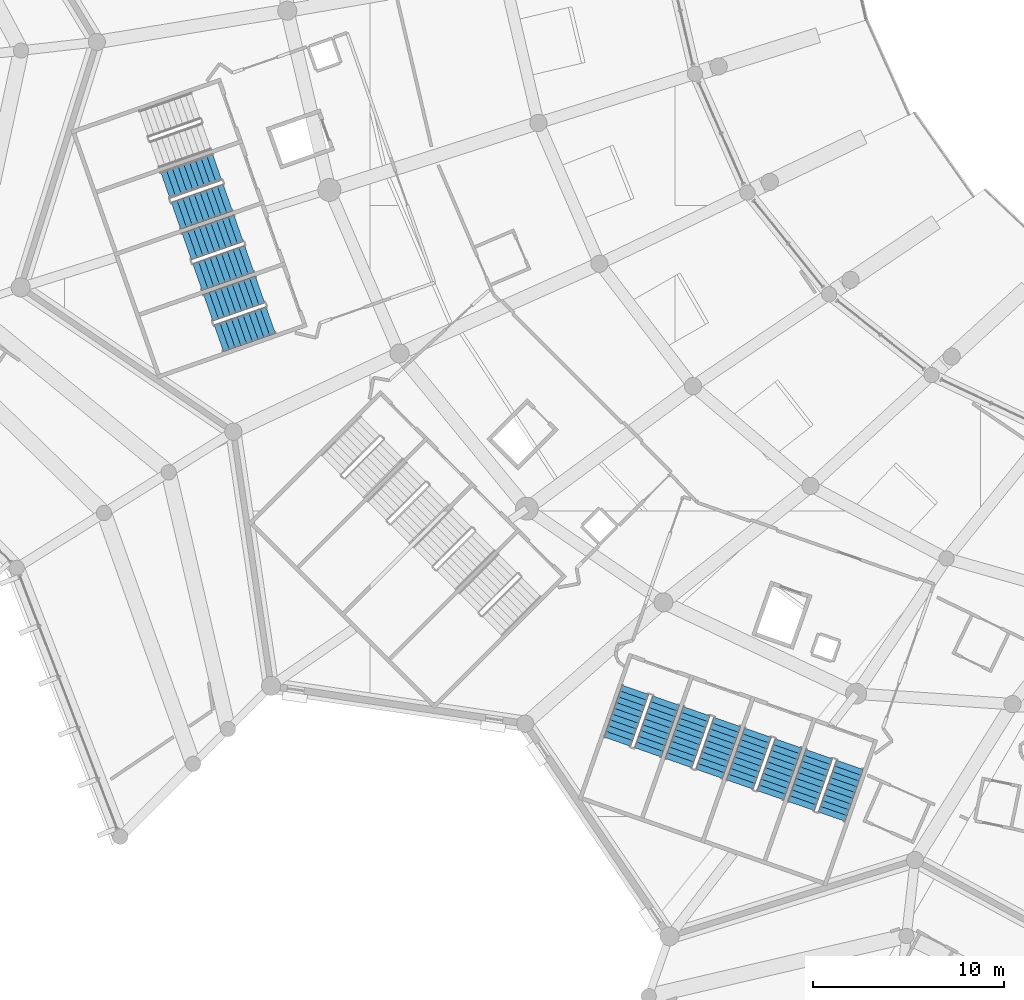
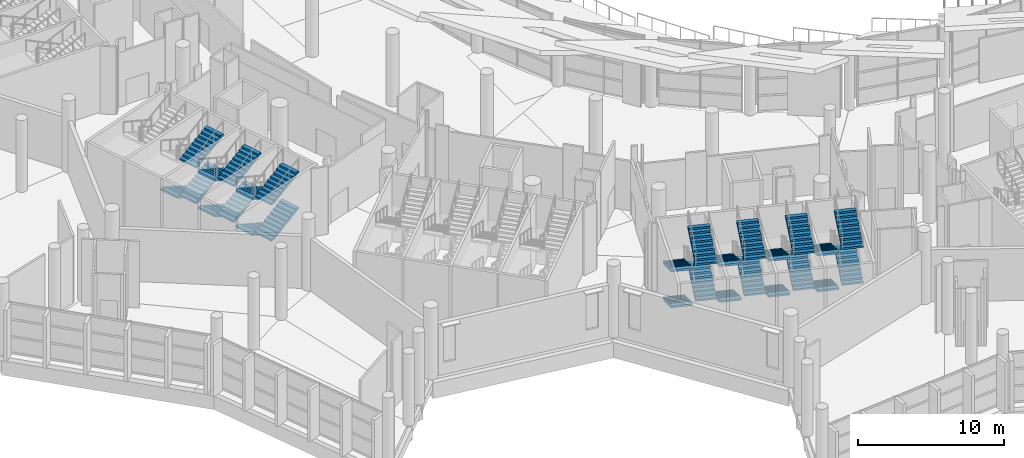
# One storey, part 182 of 249: 27 stair flights, 7 elements without a shape of their own.
"""IFC4 building model written with IfcOpenShell, lengths in metres."""

from ifc_helpers import new_model, si_unit, direction, frame, origin, place, context, subcontext, project, spatial, polyline, outline, extrude, material, type_object, element, aggregate, save


model = new_model("IFC4")

# Units and contexts
model_context = context("Model", 3, precision=1e-05, world=origin(), true_north=direction((0.0, 1.0)))
body_context = subcontext(model_context, "Body", "Model", "MODEL_VIEW")
ifc_project = project(units=[si_unit("LENGTHUNIT", "METRE"), si_unit("AREAUNIT", "SQUARE_METRE"), si_unit("VOLUMEUNIT", "CUBIC_METRE"), si_unit("PLANEANGLEUNIT", "RADIAN"), si_unit("MASSUNIT", "GRAM", prefix="KILO")], contexts=[model_context])

# Site, building, storey
site_placement = place(None, origin())
site = spatial("IfcSite", under=ifc_project, at=site_placement, CompositionType="ELEMENT")
building_placement = place(site_placement, origin())
building = spatial("IfcBuilding", under=site, at=building_placement, Name="Meseta Stadium", CompositionType="ELEMENT")
storey_placement = place(building_placement, frame((0.0, 0.0, 12.0)))
storey = spatial("IfcBuildingStorey", under=building, at=storey_placement, Name="L02", CompositionType="ELEMENT", Elevation=12.0)

# Stair, stair flights
ifc_material_1 = material(Name="Concrete C40/50", Category="concrete")
stair_type = type_object("IfcStairType", Name="Exit stair 4 flights 150 mm risers", PredefinedType="HALF_TURN_STAIR", material=ifc_material_1)
stair_1_placement = place(storey_placement, origin())
stair_1 = element("IfcStair", 1, at=stair_1_placement, inside=storey, type_object=stair_type, Name="ST78 L02", PredefinedType="HALF_TURN_STAIR")
ifc_material_2 = material(Name="Concrete C40/50", Category="concrete")
stair_flight_type = type_object("IfcStairFlightType", Name="Exit stair flight 150 mm risers, 4 per storey", PredefinedType="STRAIGHT", material=ifc_material_2)
stair_flight_1_placement = place(storey_placement, frame((-87.99560546875, -61.9931640625, 0.0), z_axis=(0.0, 0.0, 1.0), x_axis=(-0.943883331955, -0.330279057248, 0.0)))
stair_flight_1 = element("IfcStairFlight", 2, at=stair_flight_1_placement, type_object=stair_flight_type, Name="ST78 L02 flight 1", NumberOfRisers=10, NumberOfTreads=9, PredefinedType="STRAIGHT", RiserHeight=0.15, TreadLength=0.32, context=body_context, shape_type="SweptSolid", body=[
    extrude(outline(polyline([(0.0, 0.0), (0.0, 0.14990234375), (0.320068359375, 0.14990234375), (0.320068359375, 0.300048828125), (0.639892578125, 0.300048828125), (0.639892578125, 0.449951171875), (0.9599609375, 0.449951171875), (0.9599609375, 0.60009765625), (1.280029296875, 0.60009765625), (1.280029296875, 0.75), (1.60009765625, 0.75), (1.60009765625, 0.89990234375), (1.919921875, 0.89990234375), (1.919921875, 1.050048828125), (2.239990234375, 1.050048828125), (2.239990234375, 1.199951171875), (2.56005859375, 1.199951171875), (2.56005859375, 1.35009765625), (2.8798828125, 1.35009765625), (2.8798828125, 1.184326171875), (0.353271484375, 0.0), (0.0, 0.0)])), frame((0.0, 0.75, 0.0), z_axis=(0.0, -1.0, 0.0), x_axis=(1.0, 0.0, 0.0)), (0.0, 0.0, 1.0), 1.5),
])
stair_flight_2_placement = place(storey_placement, frame((-90.15234375, -64.549072265625, 1.5), z_axis=(0.0, 0.0, 1.0), x_axis=(0.943883331955, 0.330279057248, 0.0)))
stair_flight_2 = element("IfcStairFlight", 3, at=stair_flight_2_placement, type_object=stair_flight_type, Name="ST78 L02 flight 2", NumberOfRisers=10, NumberOfTreads=9, PredefinedType="STRAIGHT", RiserHeight=0.15, TreadLength=0.32, context=body_context, shape_type="SweptSolid", body=[
    extrude(outline(polyline([(0.0, 0.0), (0.0, 0.14990234375), (0.320068359375, 0.14990234375), (0.320068359375, 0.300048828125), (0.639892578125, 0.300048828125), (0.639892578125, 0.449951171875), (0.9599609375, 0.449951171875), (0.9599609375, 0.60009765625), (1.280029296875, 0.60009765625), (1.280029296875, 0.75), (1.60009765625, 0.75), (1.60009765625, 0.89990234375), (1.919921875, 0.89990234375), (1.919921875, 1.050048828125), (2.239990234375, 1.050048828125), (2.239990234375, 1.199951171875), (2.56005859375, 1.199951171875), (2.56005859375, 1.35009765625), (2.8798828125, 1.35009765625), (2.8798828125, 1.184326171875), (0.353271484375, 0.0), (0.0, 0.0)])), frame((0.0, 0.75, 0.0), z_axis=(0.0, -1.0, 0.0), x_axis=(1.0, 0.0, 0.0)), (0.0, 0.0, 1.0), 1.5),
])
stair_flight_3_placement = place(storey_placement, frame((-90.15234375, -64.549072265625, 4.5), z_axis=(0.0, 0.0, 1.0), x_axis=(0.943883331955, 0.330279057248, 0.0)))
stair_flight_3 = element("IfcStairFlight", 4, at=stair_flight_3_placement, type_object=stair_flight_type, Name="ST78 L02 flight 4", NumberOfRisers=10, NumberOfTreads=9, PredefinedType="STRAIGHT", RiserHeight=0.15, TreadLength=0.32, context=body_context, shape_type="SweptSolid", body=[
    extrude(outline(polyline([(0.0, 0.0), (0.0, 0.14990234375), (0.320068359375, 0.14990234375), (0.320068359375, 0.300048828125), (0.639892578125, 0.300048828125), (0.639892578125, 0.449951171875), (0.9599609375, 0.449951171875), (0.9599609375, 0.60009765625), (1.280029296875, 0.60009765625), (1.280029296875, 0.75), (1.60009765625, 0.75), (1.60009765625, 0.89990234375), (1.919921875, 0.89990234375), (1.919921875, 1.050048828125), (2.239990234375, 1.050048828125), (2.239990234375, 1.199951171875), (2.56005859375, 1.199951171875), (2.56005859375, 1.35009765625), (2.8798828125, 1.35009765625), (2.8798828125, 1.184326171875), (0.353271484375, 0.0), (0.0, 0.0)])), frame((0.0, 0.75, 0.0), z_axis=(0.0, -1.0, 0.0), x_axis=(1.0, 0.0, 0.0)), (0.0, 0.0, 1.0), 1.5),
])
aggregate(stair_1, [stair_flight_1, stair_flight_2, stair_flight_3])

stair_2_placement = place(storey_placement, origin())
stair_2 = element("IfcStair", 5, at=stair_2_placement, inside=storey, type_object=stair_type, Name="ST79 L02", PredefinedType="HALF_TURN_STAIR")
stair_flight_4_placement = place(storey_placement, frame((-86.87255859375, -65.202392578125, 0.0), z_axis=(0.0, 0.0, 1.0), x_axis=(-0.943883331955, -0.330279057248, 0.0)))
stair_flight_4 = element("IfcStairFlight", 6, at=stair_flight_4_placement, type_object=stair_flight_type, Name="ST79 L02 flight 1", NumberOfRisers=10, NumberOfTreads=9, PredefinedType="STRAIGHT", RiserHeight=0.15, TreadLength=0.32, context=body_context, shape_type="SweptSolid", body=[
    extrude(outline(polyline([(0.0, 0.0), (0.0, 0.14990234375), (0.320068359375, 0.14990234375), (0.320068359375, 0.300048828125), (0.639892578125, 0.300048828125), (0.639892578125, 0.449951171875), (0.9599609375, 0.449951171875), (0.9599609375, 0.60009765625), (1.280029296875, 0.60009765625), (1.280029296875, 0.75), (1.60009765625, 0.75), (1.60009765625, 0.89990234375), (1.919921875, 0.89990234375), (1.919921875, 1.050048828125), (2.239990234375, 1.050048828125), (2.239990234375, 1.199951171875), (2.56005859375, 1.199951171875), (2.56005859375, 1.35009765625), (2.8798828125, 1.35009765625), (2.8798828125, 1.184326171875), (0.353271484375, 0.0), (0.0, 0.0)])), frame((0.0, 0.75, 0.0), z_axis=(0.0, -1.0, 0.0), x_axis=(1.0, 0.0, 0.0)), (0.0, 0.0, 1.0), 1.5),
])
stair_flight_5_placement = place(storey_placement, frame((-89.029541015625, -67.75830078125, 1.5), z_axis=(0.0, 0.0, 1.0), x_axis=(0.943883331955, 0.330279057248, 0.0)))
stair_flight_5 = element("IfcStairFlight", 7, at=stair_flight_5_placement, type_object=stair_flight_type, Name="ST79 L02 flight 2", NumberOfRisers=10, NumberOfTreads=9, PredefinedType="STRAIGHT", RiserHeight=0.15, TreadLength=0.32, context=body_context, shape_type="SweptSolid", body=[
    extrude(outline(polyline([(0.0, 0.0), (0.0, 0.14990234375), (0.320068359375, 0.14990234375), (0.320068359375, 0.300048828125), (0.639892578125, 0.300048828125), (0.639892578125, 0.449951171875), (0.9599609375, 0.449951171875), (0.9599609375, 0.60009765625), (1.280029296875, 0.60009765625), (1.280029296875, 0.75), (1.60009765625, 0.75), (1.60009765625, 0.89990234375), (1.919921875, 0.89990234375), (1.919921875, 1.050048828125), (2.239990234375, 1.050048828125), (2.239990234375, 1.199951171875), (2.56005859375, 1.199951171875), (2.56005859375, 1.35009765625), (2.8798828125, 1.35009765625), (2.8798828125, 1.184326171875), (0.353271484375, 0.0), (0.0, 0.0)])), frame((0.0, 0.75, 0.0), z_axis=(0.0, -1.0, 0.0), x_axis=(1.0, 0.0, 0.0)), (0.0, 0.0, 1.0), 1.5),
])
stair_flight_6_placement = place(storey_placement, frame((-86.87255859375, -65.202392578125, 3.0), z_axis=(0.0, 0.0, 1.0), x_axis=(-0.943883331955, -0.330279057248, 0.0)))
stair_flight_6 = element("IfcStairFlight", 8, at=stair_flight_6_placement, type_object=stair_flight_type, Name="ST79 L02 flight 3", NumberOfRisers=10, NumberOfTreads=9, PredefinedType="STRAIGHT", RiserHeight=0.15, TreadLength=0.32, context=body_context, shape_type="SweptSolid", body=[
    extrude(outline(polyline([(0.0, 0.0), (0.0, 0.14990234375), (0.320068359375, 0.14990234375), (0.320068359375, 0.300048828125), (0.639892578125, 0.300048828125), (0.639892578125, 0.449951171875), (0.9599609375, 0.449951171875), (0.9599609375, 0.60009765625), (1.280029296875, 0.60009765625), (1.280029296875, 0.75), (1.60009765625, 0.75), (1.60009765625, 0.89990234375), (1.919921875, 0.89990234375), (1.919921875, 1.050048828125), (2.239990234375, 1.050048828125), (2.239990234375, 1.199951171875), (2.56005859375, 1.199951171875), (2.56005859375, 1.35009765625), (2.8798828125, 1.35009765625), (2.8798828125, 1.184326171875), (0.353271484375, 0.0), (0.0, 0.0)])), frame((0.0, 0.75, 0.0), z_axis=(0.0, -1.0, 0.0), x_axis=(1.0, 0.0, 0.0)), (0.0, 0.0, 1.0), 1.5),
])
stair_flight_7_placement = place(storey_placement, frame((-89.029541015625, -67.75830078125, 4.5), z_axis=(0.0, 0.0, 1.0), x_axis=(0.943883331955, 0.330279057248, 0.0)))
stair_flight_7 = element("IfcStairFlight", 9, at=stair_flight_7_placement, type_object=stair_flight_type, Name="ST79 L02 flight 4", NumberOfRisers=10, NumberOfTreads=9, PredefinedType="STRAIGHT", RiserHeight=0.15, TreadLength=0.32, context=body_context, shape_type="SweptSolid", body=[
    extrude(outline(polyline([(0.0, 0.0), (0.0, 0.14990234375), (0.320068359375, 0.14990234375), (0.320068359375, 0.300048828125), (0.639892578125, 0.300048828125), (0.639892578125, 0.449951171875), (0.9599609375, 0.449951171875), (0.9599609375, 0.60009765625), (1.280029296875, 0.60009765625), (1.280029296875, 0.75), (1.60009765625, 0.75), (1.60009765625, 0.89990234375), (1.919921875, 0.89990234375), (1.919921875, 1.050048828125), (2.239990234375, 1.050048828125), (2.239990234375, 1.199951171875), (2.56005859375, 1.199951171875), (2.56005859375, 1.35009765625), (2.8798828125, 1.35009765625), (2.8798828125, 1.184326171875), (0.353271484375, 0.0), (0.0, 0.0)])), frame((0.0, 0.75, 0.0), z_axis=(0.0, -1.0, 0.0), x_axis=(1.0, 0.0, 0.0)), (0.0, 0.0, 1.0), 1.5),
])
aggregate(stair_2, [stair_flight_4, stair_flight_5, stair_flight_6, stair_flight_7])

stair_3_placement = place(storey_placement, origin())
stair_3 = element("IfcStair", 10, at=stair_3_placement, inside=storey, type_object=stair_type, Name="ST80 L02", PredefinedType="HALF_TURN_STAIR")
stair_flight_8_placement = place(storey_placement, frame((-85.74951171875, -68.41162109375, 0.0), z_axis=(0.0, 0.0, 1.0), x_axis=(-0.943883331955, -0.330279057248, 0.0)))
stair_flight_8 = element("IfcStairFlight", 11, at=stair_flight_8_placement, type_object=stair_flight_type, Name="ST80 L02 flight 1", NumberOfRisers=10, NumberOfTreads=9, PredefinedType="STRAIGHT", RiserHeight=0.15, TreadLength=0.32, context=body_context, shape_type="SweptSolid", body=[
    extrude(outline(polyline([(0.0, 0.0), (0.0, 0.14990234375), (0.320068359375, 0.14990234375), (0.320068359375, 0.300048828125), (0.639892578125, 0.300048828125), (0.639892578125, 0.449951171875), (0.9599609375, 0.449951171875), (0.9599609375, 0.60009765625), (1.280029296875, 0.60009765625), (1.280029296875, 0.75), (1.60009765625, 0.75), (1.60009765625, 0.89990234375), (1.919921875, 0.89990234375), (1.919921875, 1.050048828125), (2.239990234375, 1.050048828125), (2.239990234375, 1.199951171875), (2.56005859375, 1.199951171875), (2.56005859375, 1.35009765625), (2.8798828125, 1.35009765625), (2.8798828125, 1.184326171875), (0.353271484375, 0.0), (0.0, 0.0)])), frame((0.0, 0.75, 0.0), z_axis=(0.0, -1.0, 0.0), x_axis=(1.0, 0.0, 0.0)), (0.0, 0.0, 1.0), 1.5),
])
stair_flight_9_placement = place(storey_placement, frame((-87.906494140625, -70.967529296875, 1.5), z_axis=(0.0, 0.0, 1.0), x_axis=(0.943883331955, 0.330279057248, 0.0)))
stair_flight_9 = element("IfcStairFlight", 12, at=stair_flight_9_placement, type_object=stair_flight_type, Name="ST80 L02 flight 2", NumberOfRisers=10, NumberOfTreads=9, PredefinedType="STRAIGHT", RiserHeight=0.15, TreadLength=0.32, context=body_context, shape_type="SweptSolid", body=[
    extrude(outline(polyline([(0.0, 0.0), (0.0, 0.14990234375), (0.320068359375, 0.14990234375), (0.320068359375, 0.300048828125), (0.639892578125, 0.300048828125), (0.639892578125, 0.449951171875), (0.9599609375, 0.449951171875), (0.9599609375, 0.60009765625), (1.280029296875, 0.60009765625), (1.280029296875, 0.75), (1.60009765625, 0.75), (1.60009765625, 0.89990234375), (1.919921875, 0.89990234375), (1.919921875, 1.050048828125), (2.239990234375, 1.050048828125), (2.239990234375, 1.199951171875), (2.56005859375, 1.199951171875), (2.56005859375, 1.35009765625), (2.8798828125, 1.35009765625), (2.8798828125, 1.184326171875), (0.353271484375, 0.0), (0.0, 0.0)])), frame((0.0, 0.75, 0.0), z_axis=(0.0, -1.0, 0.0), x_axis=(1.0, 0.0, 0.0)), (0.0, 0.0, 1.0), 1.5),
])
stair_flight_10_placement = place(storey_placement, frame((-85.74951171875, -68.41162109375, 3.0), z_axis=(0.0, 0.0, 1.0), x_axis=(-0.943883331955, -0.330279057248, 0.0)))
stair_flight_10 = element("IfcStairFlight", 13, at=stair_flight_10_placement, type_object=stair_flight_type, Name="ST80 L02 flight 3", NumberOfRisers=10, NumberOfTreads=9, PredefinedType="STRAIGHT", RiserHeight=0.15, TreadLength=0.32, context=body_context, shape_type="SweptSolid", body=[
    extrude(outline(polyline([(0.0, 0.0), (0.0, 0.14990234375), (0.320068359375, 0.14990234375), (0.320068359375, 0.300048828125), (0.639892578125, 0.300048828125), (0.639892578125, 0.449951171875), (0.9599609375, 0.449951171875), (0.9599609375, 0.60009765625), (1.280029296875, 0.60009765625), (1.280029296875, 0.75), (1.60009765625, 0.75), (1.60009765625, 0.89990234375), (1.919921875, 0.89990234375), (1.919921875, 1.050048828125), (2.239990234375, 1.050048828125), (2.239990234375, 1.199951171875), (2.56005859375, 1.199951171875), (2.56005859375, 1.35009765625), (2.8798828125, 1.35009765625), (2.8798828125, 1.184326171875), (0.353271484375, 0.0), (0.0, 0.0)])), frame((0.0, 0.75, 0.0), z_axis=(0.0, -1.0, 0.0), x_axis=(1.0, 0.0, 0.0)), (0.0, 0.0, 1.0), 1.5),
])
stair_flight_11_placement = place(storey_placement, frame((-87.906494140625, -70.967529296875, 4.5), z_axis=(0.0, 0.0, 1.0), x_axis=(0.943883331955, 0.330279057248, 0.0)))
stair_flight_11 = element("IfcStairFlight", 14, at=stair_flight_11_placement, type_object=stair_flight_type, Name="ST80 L02 flight 4", NumberOfRisers=10, NumberOfTreads=9, PredefinedType="STRAIGHT", RiserHeight=0.15, TreadLength=0.32, context=body_context, shape_type="SweptSolid", body=[
    extrude(outline(polyline([(0.0, 0.0), (0.0, 0.14990234375), (0.320068359375, 0.14990234375), (0.320068359375, 0.300048828125), (0.639892578125, 0.300048828125), (0.639892578125, 0.449951171875), (0.9599609375, 0.449951171875), (0.9599609375, 0.60009765625), (1.280029296875, 0.60009765625), (1.280029296875, 0.75), (1.60009765625, 0.75), (1.60009765625, 0.89990234375), (1.919921875, 0.89990234375), (1.919921875, 1.050048828125), (2.239990234375, 1.050048828125), (2.239990234375, 1.199951171875), (2.56005859375, 1.199951171875), (2.56005859375, 1.35009765625), (2.8798828125, 1.35009765625), (2.8798828125, 1.184326171875), (0.353271484375, 0.0), (0.0, 0.0)])), frame((0.0, 0.75, 0.0), z_axis=(0.0, -1.0, 0.0), x_axis=(1.0, 0.0, 0.0)), (0.0, 0.0, 1.0), 1.5),
])
aggregate(stair_3, [stair_flight_8, stair_flight_9, stair_flight_10, stair_flight_11])

stair_4_placement = place(storey_placement, origin())
stair_4 = element("IfcStair", 15, at=stair_4_placement, inside=storey, type_object=stair_type, Name="ST85 L02", PredefinedType="HALF_TURN_STAIR")
stair_flight_12_placement = place(storey_placement, frame((-66.082275390625, -89.376953125, 0.0), z_axis=(0.0, 0.0, 1.0), x_axis=(-0.330279057248, -0.943883331955, 0.0)))
stair_flight_12 = element("IfcStairFlight", 16, at=stair_flight_12_placement, type_object=stair_flight_type, Name="ST85 L02 flight 1", NumberOfRisers=10, NumberOfTreads=9, PredefinedType="STRAIGHT", RiserHeight=0.15, TreadLength=0.32, context=body_context, shape_type="SweptSolid", body=[
    extrude(outline(polyline([(0.0, 0.0), (0.0, 0.14990234375), (0.320068359375, 0.14990234375), (0.320068359375, 0.300048828125), (0.639892578125, 0.300048828125), (0.639892578125, 0.449951171875), (0.9599609375, 0.449951171875), (0.9599609375, 0.60009765625), (1.280029296875, 0.60009765625), (1.280029296875, 0.75), (1.60009765625, 0.75), (1.60009765625, 0.89990234375), (1.919921875, 0.89990234375), (1.919921875, 1.050048828125), (2.239990234375, 1.050048828125), (2.239990234375, 1.199951171875), (2.56005859375, 1.199951171875), (2.56005859375, 1.35009765625), (2.8798828125, 1.35009765625), (2.8798828125, 1.184326171875), (0.353271484375, 0.0), (0.0, 0.0)])), frame((0.0, 0.75, 0.0), z_axis=(0.0, -1.0, 0.0), x_axis=(1.0, 0.0, 0.0)), (0.0, 0.0, 1.0), 1.5),
])
stair_flight_13_placement = place(storey_placement, frame((-65.428955078125, -92.65673828125, 1.5), z_axis=(0.0, 0.0, 1.0), x_axis=(0.330279057248, 0.943883331955, 0.0)))
stair_flight_13 = element("IfcStairFlight", 17, at=stair_flight_13_placement, type_object=stair_flight_type, Name="ST85 L02 flight 2", NumberOfRisers=10, NumberOfTreads=9, PredefinedType="STRAIGHT", RiserHeight=0.15, TreadLength=0.32, context=body_context, shape_type="SweptSolid", body=[
    extrude(outline(polyline([(0.0, 0.0), (0.0, 0.14990234375), (0.320068359375, 0.14990234375), (0.320068359375, 0.300048828125), (0.639892578125, 0.300048828125), (0.639892578125, 0.449951171875), (0.9599609375, 0.449951171875), (0.9599609375, 0.60009765625), (1.280029296875, 0.60009765625), (1.280029296875, 0.75), (1.60009765625, 0.75), (1.60009765625, 0.89990234375), (1.919921875, 0.89990234375), (1.919921875, 1.050048828125), (2.239990234375, 1.050048828125), (2.239990234375, 1.199951171875), (2.56005859375, 1.199951171875), (2.56005859375, 1.35009765625), (2.8798828125, 1.35009765625), (2.8798828125, 1.184326171875), (0.353271484375, 0.0), (0.0, 0.0)])), frame((0.0, 0.75, 0.0), z_axis=(0.0, -1.0, 0.0), x_axis=(1.0, 0.0, 0.0)), (0.0, 0.0, 1.0), 1.5),
])
stair_flight_14_placement = place(storey_placement, frame((-66.082275390625, -89.376953125, 3.0), z_axis=(0.0, 0.0, 1.0), x_axis=(-0.330279057248, -0.943883331955, 0.0)))
stair_flight_14 = element("IfcStairFlight", 18, at=stair_flight_14_placement, type_object=stair_flight_type, Name="ST85 L02 flight 3", NumberOfRisers=10, NumberOfTreads=9, PredefinedType="STRAIGHT", RiserHeight=0.15, TreadLength=0.32, context=body_context, shape_type="SweptSolid", body=[
    extrude(outline(polyline([(0.0, 0.0), (0.0, 0.14990234375), (0.320068359375, 0.14990234375), (0.320068359375, 0.300048828125), (0.639892578125, 0.300048828125), (0.639892578125, 0.449951171875), (0.9599609375, 0.449951171875), (0.9599609375, 0.60009765625), (1.280029296875, 0.60009765625), (1.280029296875, 0.75), (1.60009765625, 0.75), (1.60009765625, 0.89990234375), (1.919921875, 0.89990234375), (1.919921875, 1.050048828125), (2.239990234375, 1.050048828125), (2.239990234375, 1.199951171875), (2.56005859375, 1.199951171875), (2.56005859375, 1.35009765625), (2.8798828125, 1.35009765625), (2.8798828125, 1.184326171875), (0.353271484375, 0.0), (0.0, 0.0)])), frame((0.0, 0.75, 0.0), z_axis=(0.0, -1.0, 0.0), x_axis=(1.0, 0.0, 0.0)), (0.0, 0.0, 1.0), 1.5),
])
stair_flight_15_placement = place(storey_placement, frame((-65.428955078125, -92.65673828125, 4.5), z_axis=(0.0, 0.0, 1.0), x_axis=(0.330279057248, 0.943883331955, 0.0)))
stair_flight_15 = element("IfcStairFlight", 19, at=stair_flight_15_placement, type_object=stair_flight_type, Name="ST85 L02 flight 4", NumberOfRisers=10, NumberOfTreads=9, PredefinedType="STRAIGHT", RiserHeight=0.15, TreadLength=0.32, context=body_context, shape_type="SweptSolid", body=[
    extrude(outline(polyline([(0.0, 0.0), (0.0, 0.14990234375), (0.320068359375, 0.14990234375), (0.320068359375, 0.300048828125), (0.639892578125, 0.300048828125), (0.639892578125, 0.449951171875), (0.9599609375, 0.449951171875), (0.9599609375, 0.60009765625), (1.280029296875, 0.60009765625), (1.280029296875, 0.75), (1.60009765625, 0.75), (1.60009765625, 0.89990234375), (1.919921875, 0.89990234375), (1.919921875, 1.050048828125), (2.239990234375, 1.050048828125), (2.239990234375, 1.199951171875), (2.56005859375, 1.199951171875), (2.56005859375, 1.35009765625), (2.8798828125, 1.35009765625), (2.8798828125, 1.184326171875), (0.353271484375, 0.0), (0.0, 0.0)])), frame((0.0, 0.75, 0.0), z_axis=(0.0, -1.0, 0.0), x_axis=(1.0, 0.0, 0.0)), (0.0, 0.0, 1.0), 1.5),
])
aggregate(stair_4, [stair_flight_12, stair_flight_13, stair_flight_14, stair_flight_15])

stair_5_placement = place(storey_placement, origin())
stair_5 = element("IfcStair", 20, at=stair_5_placement, inside=storey, type_object=stair_type, Name="ST86 L02", PredefinedType="HALF_TURN_STAIR")
stair_flight_16_placement = place(storey_placement, frame((-62.873046875, -90.5, 0.0), z_axis=(0.0, 0.0, 1.0), x_axis=(-0.330279057248, -0.943883331955, 0.0)))
stair_flight_16 = element("IfcStairFlight", 21, at=stair_flight_16_placement, type_object=stair_flight_type, Name="ST86 L02 flight 1", NumberOfRisers=10, NumberOfTreads=9, PredefinedType="STRAIGHT", RiserHeight=0.15, TreadLength=0.32, context=body_context, shape_type="SweptSolid", body=[
    extrude(outline(polyline([(0.0, 0.0), (0.0, 0.14990234375), (0.320068359375, 0.14990234375), (0.320068359375, 0.300048828125), (0.639892578125, 0.300048828125), (0.639892578125, 0.449951171875), (0.9599609375, 0.449951171875), (0.9599609375, 0.60009765625), (1.280029296875, 0.60009765625), (1.280029296875, 0.75), (1.60009765625, 0.75), (1.60009765625, 0.89990234375), (1.919921875, 0.89990234375), (1.919921875, 1.050048828125), (2.239990234375, 1.050048828125), (2.239990234375, 1.199951171875), (2.56005859375, 1.199951171875), (2.56005859375, 1.35009765625), (2.8798828125, 1.35009765625), (2.8798828125, 1.184326171875), (0.353271484375, 0.0), (0.0, 0.0)])), frame((0.0, 0.75, 0.0), z_axis=(0.0, -1.0, 0.0), x_axis=(1.0, 0.0, 0.0)), (0.0, 0.0, 1.0), 1.5),
])
stair_flight_17_placement = place(storey_placement, frame((-62.2197265625, -93.77978515625, 1.5), z_axis=(0.0, 0.0, 1.0), x_axis=(0.330279057248, 0.943883331955, 0.0)))
stair_flight_17 = element("IfcStairFlight", 22, at=stair_flight_17_placement, type_object=stair_flight_type, Name="ST86 L02 flight 2", NumberOfRisers=10, NumberOfTreads=9, PredefinedType="STRAIGHT", RiserHeight=0.15, TreadLength=0.32, context=body_context, shape_type="SweptSolid", body=[
    extrude(outline(polyline([(0.0, 0.0), (0.0, 0.14990234375), (0.320068359375, 0.14990234375), (0.320068359375, 0.300048828125), (0.639892578125, 0.300048828125), (0.639892578125, 0.449951171875), (0.9599609375, 0.449951171875), (0.9599609375, 0.60009765625), (1.280029296875, 0.60009765625), (1.280029296875, 0.75), (1.60009765625, 0.75), (1.60009765625, 0.89990234375), (1.919921875, 0.89990234375), (1.919921875, 1.050048828125), (2.239990234375, 1.050048828125), (2.239990234375, 1.199951171875), (2.56005859375, 1.199951171875), (2.56005859375, 1.35009765625), (2.8798828125, 1.35009765625), (2.8798828125, 1.184326171875), (0.353271484375, 0.0), (0.0, 0.0)])), frame((0.0, 0.75, 0.0), z_axis=(0.0, -1.0, 0.0), x_axis=(1.0, 0.0, 0.0)), (0.0, 0.0, 1.0), 1.5),
])
stair_flight_18_placement = place(storey_placement, frame((-62.873046875, -90.5, 3.0), z_axis=(0.0, 0.0, 1.0), x_axis=(-0.330279057248, -0.943883331955, 0.0)))
stair_flight_18 = element("IfcStairFlight", 23, at=stair_flight_18_placement, type_object=stair_flight_type, Name="ST86 L02 flight 3", NumberOfRisers=10, NumberOfTreads=9, PredefinedType="STRAIGHT", RiserHeight=0.15, TreadLength=0.32, context=body_context, shape_type="SweptSolid", body=[
    extrude(outline(polyline([(0.0, 0.0), (0.0, 0.14990234375), (0.320068359375, 0.14990234375), (0.320068359375, 0.300048828125), (0.639892578125, 0.300048828125), (0.639892578125, 0.449951171875), (0.9599609375, 0.449951171875), (0.9599609375, 0.60009765625), (1.280029296875, 0.60009765625), (1.280029296875, 0.75), (1.60009765625, 0.75), (1.60009765625, 0.89990234375), (1.919921875, 0.89990234375), (1.919921875, 1.050048828125), (2.239990234375, 1.050048828125), (2.239990234375, 1.199951171875), (2.56005859375, 1.199951171875), (2.56005859375, 1.35009765625), (2.8798828125, 1.35009765625), (2.8798828125, 1.184326171875), (0.353271484375, 0.0), (0.0, 0.0)])), frame((0.0, 0.75, 0.0), z_axis=(0.0, -1.0, 0.0), x_axis=(1.0, 0.0, 0.0)), (0.0, 0.0, 1.0), 1.5),
])
stair_flight_19_placement = place(storey_placement, frame((-62.2197265625, -93.77978515625, 4.5), z_axis=(0.0, 0.0, 1.0), x_axis=(0.330279057248, 0.943883331955, 0.0)))
stair_flight_19 = element("IfcStairFlight", 24, at=stair_flight_19_placement, type_object=stair_flight_type, Name="ST86 L02 flight 4", NumberOfRisers=10, NumberOfTreads=9, PredefinedType="STRAIGHT", RiserHeight=0.15, TreadLength=0.32, context=body_context, shape_type="SweptSolid", body=[
    extrude(outline(polyline([(0.0, 0.0), (0.0, 0.14990234375), (0.320068359375, 0.14990234375), (0.320068359375, 0.300048828125), (0.639892578125, 0.300048828125), (0.639892578125, 0.449951171875), (0.9599609375, 0.449951171875), (0.9599609375, 0.60009765625), (1.280029296875, 0.60009765625), (1.280029296875, 0.75), (1.60009765625, 0.75), (1.60009765625, 0.89990234375), (1.919921875, 0.89990234375), (1.919921875, 1.050048828125), (2.239990234375, 1.050048828125), (2.239990234375, 1.199951171875), (2.56005859375, 1.199951171875), (2.56005859375, 1.35009765625), (2.8798828125, 1.35009765625), (2.8798828125, 1.184326171875), (0.353271484375, 0.0), (0.0, 0.0)])), frame((0.0, 0.75, 0.0), z_axis=(0.0, -1.0, 0.0), x_axis=(1.0, 0.0, 0.0)), (0.0, 0.0, 1.0), 1.5),
])
aggregate(stair_5, [stair_flight_16, stair_flight_17, stair_flight_18, stair_flight_19])

stair_6_placement = place(storey_placement, origin())
stair_6 = element("IfcStair", 25, at=stair_6_placement, inside=storey, type_object=stair_type, Name="ST87 L02", PredefinedType="HALF_TURN_STAIR")
stair_flight_20_placement = place(storey_placement, frame((-59.663818359375, -91.622802734375, 0.0), z_axis=(0.0, 0.0, 1.0), x_axis=(-0.330279057248, -0.943883331955, 0.0)))
stair_flight_20 = element("IfcStairFlight", 26, at=stair_flight_20_placement, type_object=stair_flight_type, Name="ST87 L02 flight 1", NumberOfRisers=10, NumberOfTreads=9, PredefinedType="STRAIGHT", RiserHeight=0.15, TreadLength=0.32, context=body_context, shape_type="SweptSolid", body=[
    extrude(outline(polyline([(0.0, 0.0), (0.0, 0.14990234375), (0.320068359375, 0.14990234375), (0.320068359375, 0.300048828125), (0.639892578125, 0.300048828125), (0.639892578125, 0.449951171875), (0.9599609375, 0.449951171875), (0.9599609375, 0.60009765625), (1.280029296875, 0.60009765625), (1.280029296875, 0.75), (1.60009765625, 0.75), (1.60009765625, 0.89990234375), (1.919921875, 0.89990234375), (1.919921875, 1.050048828125), (2.239990234375, 1.050048828125), (2.239990234375, 1.199951171875), (2.56005859375, 1.199951171875), (2.56005859375, 1.35009765625), (2.8798828125, 1.35009765625), (2.8798828125, 1.184326171875), (0.353271484375, 0.0), (0.0, 0.0)])), frame((0.0, 0.75, 0.0), z_axis=(0.0, -1.0, 0.0), x_axis=(1.0, 0.0, 0.0)), (0.0, 0.0, 1.0), 1.5),
])
stair_flight_21_placement = place(storey_placement, frame((-59.010498046875, -94.902587890625, 1.5), z_axis=(0.0, 0.0, 1.0), x_axis=(0.330279057248, 0.943883331955, 0.0)))
stair_flight_21 = element("IfcStairFlight", 27, at=stair_flight_21_placement, type_object=stair_flight_type, Name="ST87 L02 flight 2", NumberOfRisers=10, NumberOfTreads=9, PredefinedType="STRAIGHT", RiserHeight=0.15, TreadLength=0.32, context=body_context, shape_type="SweptSolid", body=[
    extrude(outline(polyline([(0.0, 0.0), (0.0, 0.14990234375), (0.320068359375, 0.14990234375), (0.320068359375, 0.300048828125), (0.639892578125, 0.300048828125), (0.639892578125, 0.449951171875), (0.9599609375, 0.449951171875), (0.9599609375, 0.60009765625), (1.280029296875, 0.60009765625), (1.280029296875, 0.75), (1.60009765625, 0.75), (1.60009765625, 0.89990234375), (1.919921875, 0.89990234375), (1.919921875, 1.050048828125), (2.239990234375, 1.050048828125), (2.239990234375, 1.199951171875), (2.56005859375, 1.199951171875), (2.56005859375, 1.35009765625), (2.8798828125, 1.35009765625), (2.8798828125, 1.184326171875), (0.353271484375, 0.0), (0.0, 0.0)])), frame((0.0, 0.75, 0.0), z_axis=(0.0, -1.0, 0.0), x_axis=(1.0, 0.0, 0.0)), (0.0, 0.0, 1.0), 1.5),
])
stair_flight_22_placement = place(storey_placement, frame((-59.663818359375, -91.622802734375, 3.0), z_axis=(0.0, 0.0, 1.0), x_axis=(-0.330279057248, -0.943883331955, 0.0)))
stair_flight_22 = element("IfcStairFlight", 28, at=stair_flight_22_placement, type_object=stair_flight_type, Name="ST87 L02 flight 3", NumberOfRisers=10, NumberOfTreads=9, PredefinedType="STRAIGHT", RiserHeight=0.15, TreadLength=0.32, context=body_context, shape_type="SweptSolid", body=[
    extrude(outline(polyline([(0.0, 0.0), (0.0, 0.14990234375), (0.320068359375, 0.14990234375), (0.320068359375, 0.300048828125), (0.639892578125, 0.300048828125), (0.639892578125, 0.449951171875), (0.9599609375, 0.449951171875), (0.9599609375, 0.60009765625), (1.280029296875, 0.60009765625), (1.280029296875, 0.75), (1.60009765625, 0.75), (1.60009765625, 0.89990234375), (1.919921875, 0.89990234375), (1.919921875, 1.050048828125), (2.239990234375, 1.050048828125), (2.239990234375, 1.199951171875), (2.56005859375, 1.199951171875), (2.56005859375, 1.35009765625), (2.8798828125, 1.35009765625), (2.8798828125, 1.184326171875), (0.353271484375, 0.0), (0.0, 0.0)])), frame((0.0, 0.75, 0.0), z_axis=(0.0, -1.0, 0.0), x_axis=(1.0, 0.0, 0.0)), (0.0, 0.0, 1.0), 1.5),
])
stair_flight_23_placement = place(storey_placement, frame((-59.010498046875, -94.902587890625, 4.5), z_axis=(0.0, 0.0, 1.0), x_axis=(0.330279057248, 0.943883331955, 0.0)))
stair_flight_23 = element("IfcStairFlight", 29, at=stair_flight_23_placement, type_object=stair_flight_type, Name="ST87 L02 flight 4", NumberOfRisers=10, NumberOfTreads=9, PredefinedType="STRAIGHT", RiserHeight=0.15, TreadLength=0.32, context=body_context, shape_type="SweptSolid", body=[
    extrude(outline(polyline([(0.0, 0.0), (0.0, 0.14990234375), (0.320068359375, 0.14990234375), (0.320068359375, 0.300048828125), (0.639892578125, 0.300048828125), (0.639892578125, 0.449951171875), (0.9599609375, 0.449951171875), (0.9599609375, 0.60009765625), (1.280029296875, 0.60009765625), (1.280029296875, 0.75), (1.60009765625, 0.75), (1.60009765625, 0.89990234375), (1.919921875, 0.89990234375), (1.919921875, 1.050048828125), (2.239990234375, 1.050048828125), (2.239990234375, 1.199951171875), (2.56005859375, 1.199951171875), (2.56005859375, 1.35009765625), (2.8798828125, 1.35009765625), (2.8798828125, 1.184326171875), (0.353271484375, 0.0), (0.0, 0.0)])), frame((0.0, 0.75, 0.0), z_axis=(0.0, -1.0, 0.0), x_axis=(1.0, 0.0, 0.0)), (0.0, 0.0, 1.0), 1.5),
])
aggregate(stair_6, [stair_flight_20, stair_flight_21, stair_flight_22, stair_flight_23])

stair_7_placement = place(storey_placement, origin())
stair_7 = element("IfcStair", 30, at=stair_7_placement, inside=storey, type_object=stair_type, Name="ST88 L02", PredefinedType="HALF_TURN_STAIR")
stair_flight_24_placement = place(storey_placement, frame((-56.454833984375, -92.745849609375, 0.0), z_axis=(0.0, 0.0, 1.0), x_axis=(-0.330279057248, -0.943883331955, 0.0)))
stair_flight_24 = element("IfcStairFlight", 31, at=stair_flight_24_placement, type_object=stair_flight_type, Name="ST88 L02 flight 1", NumberOfRisers=10, NumberOfTreads=9, PredefinedType="STRAIGHT", RiserHeight=0.15, TreadLength=0.32, context=body_context, shape_type="SweptSolid", body=[
    extrude(outline(polyline([(0.0, 0.0), (0.0, 0.14990234375), (0.320068359375, 0.14990234375), (0.320068359375, 0.300048828125), (0.639892578125, 0.300048828125), (0.639892578125, 0.449951171875), (0.9599609375, 0.449951171875), (0.9599609375, 0.60009765625), (1.280029296875, 0.60009765625), (1.280029296875, 0.75), (1.60009765625, 0.75), (1.60009765625, 0.89990234375), (1.919921875, 0.89990234375), (1.919921875, 1.050048828125), (2.239990234375, 1.050048828125), (2.239990234375, 1.199951171875), (2.56005859375, 1.199951171875), (2.56005859375, 1.35009765625), (2.8798828125, 1.35009765625), (2.8798828125, 1.184326171875), (0.353271484375, 0.0), (0.0, 0.0)])), frame((0.0, 0.75, 0.0), z_axis=(0.0, -1.0, 0.0), x_axis=(1.0, 0.0, 0.0)), (0.0, 0.0, 1.0), 1.5),
])
stair_flight_25_placement = place(storey_placement, frame((-55.80126953125, -96.025634765625, 1.5), z_axis=(0.0, 0.0, 1.0), x_axis=(0.330279057248, 0.943883331955, 0.0)))
stair_flight_25 = element("IfcStairFlight", 32, at=stair_flight_25_placement, type_object=stair_flight_type, Name="ST88 L02 flight 2", NumberOfRisers=10, NumberOfTreads=9, PredefinedType="STRAIGHT", RiserHeight=0.15, TreadLength=0.32, context=body_context, shape_type="SweptSolid", body=[
    extrude(outline(polyline([(0.0, 0.0), (0.0, 0.14990234375), (0.320068359375, 0.14990234375), (0.320068359375, 0.300048828125), (0.639892578125, 0.300048828125), (0.639892578125, 0.449951171875), (0.9599609375, 0.449951171875), (0.9599609375, 0.60009765625), (1.280029296875, 0.60009765625), (1.280029296875, 0.75), (1.60009765625, 0.75), (1.60009765625, 0.89990234375), (1.919921875, 0.89990234375), (1.919921875, 1.050048828125), (2.239990234375, 1.050048828125), (2.239990234375, 1.199951171875), (2.56005859375, 1.199951171875), (2.56005859375, 1.35009765625), (2.8798828125, 1.35009765625), (2.8798828125, 1.184326171875), (0.353271484375, 0.0), (0.0, 0.0)])), frame((0.0, 0.75, 0.0), z_axis=(0.0, -1.0, 0.0), x_axis=(1.0, 0.0, 0.0)), (0.0, 0.0, 1.0), 1.5),
])
stair_flight_26_placement = place(storey_placement, frame((-56.454833984375, -92.745849609375, 3.0), z_axis=(0.0, 0.0, 1.0), x_axis=(-0.330279057248, -0.943883331955, 0.0)))
stair_flight_26 = element("IfcStairFlight", 33, at=stair_flight_26_placement, type_object=stair_flight_type, Name="ST88 L02 flight 3", NumberOfRisers=10, NumberOfTreads=9, PredefinedType="STRAIGHT", RiserHeight=0.15, TreadLength=0.32, context=body_context, shape_type="SweptSolid", body=[
    extrude(outline(polyline([(0.0, 0.0), (0.0, 0.14990234375), (0.320068359375, 0.14990234375), (0.320068359375, 0.300048828125), (0.639892578125, 0.300048828125), (0.639892578125, 0.449951171875), (0.9599609375, 0.449951171875), (0.9599609375, 0.60009765625), (1.280029296875, 0.60009765625), (1.280029296875, 0.75), (1.60009765625, 0.75), (1.60009765625, 0.89990234375), (1.919921875, 0.89990234375), (1.919921875, 1.050048828125), (2.239990234375, 1.050048828125), (2.239990234375, 1.199951171875), (2.56005859375, 1.199951171875), (2.56005859375, 1.35009765625), (2.8798828125, 1.35009765625), (2.8798828125, 1.184326171875), (0.353271484375, 0.0), (0.0, 0.0)])), frame((0.0, 0.75, 0.0), z_axis=(0.0, -1.0, 0.0), x_axis=(1.0, 0.0, 0.0)), (0.0, 0.0, 1.0), 1.5),
])
stair_flight_27_placement = place(storey_placement, frame((-55.80126953125, -96.025634765625, 4.5), z_axis=(0.0, 0.0, 1.0), x_axis=(0.330279057248, 0.943883331955, 0.0)))
stair_flight_27 = element("IfcStairFlight", 34, at=stair_flight_27_placement, type_object=stair_flight_type, Name="ST88 L02 flight 4", NumberOfRisers=10, NumberOfTreads=9, PredefinedType="STRAIGHT", RiserHeight=0.15, TreadLength=0.32, context=body_context, shape_type="SweptSolid", body=[
    extrude(outline(polyline([(0.0, 0.0), (0.0, 0.14990234375), (0.320068359375, 0.14990234375), (0.320068359375, 0.300048828125), (0.639892578125, 0.300048828125), (0.639892578125, 0.449951171875), (0.9599609375, 0.449951171875), (0.9599609375, 0.60009765625), (1.280029296875, 0.60009765625), (1.280029296875, 0.75), (1.60009765625, 0.75), (1.60009765625, 0.89990234375), (1.919921875, 0.89990234375), (1.919921875, 1.050048828125), (2.239990234375, 1.050048828125), (2.239990234375, 1.199951171875), (2.56005859375, 1.199951171875), (2.56005859375, 1.35009765625), (2.8798828125, 1.35009765625), (2.8798828125, 1.184326171875), (0.353271484375, 0.0), (0.0, 0.0)])), frame((0.0, 0.75, 0.0), z_axis=(0.0, -1.0, 0.0), x_axis=(1.0, 0.0, 0.0)), (0.0, 0.0, 1.0), 1.5),
])
aggregate(stair_7, [stair_flight_24, stair_flight_25, stair_flight_26, stair_flight_27])

save(model, "model.ifc")
